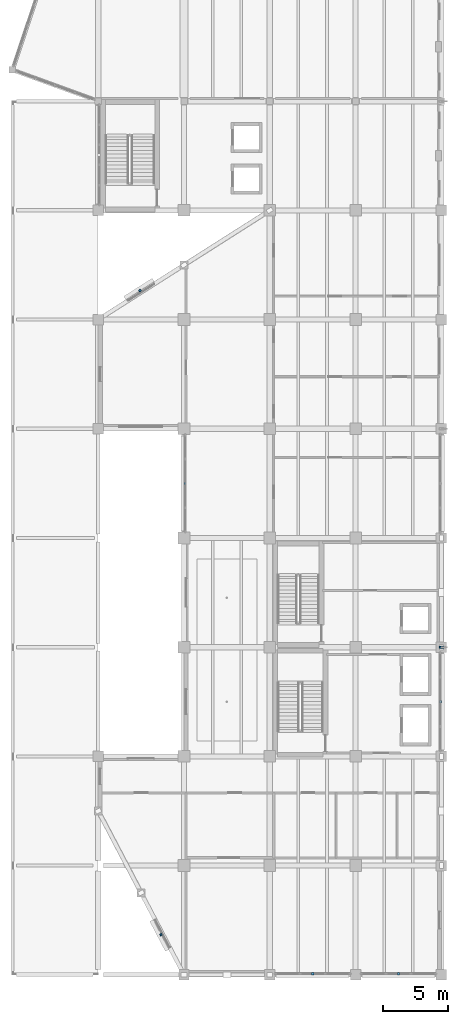
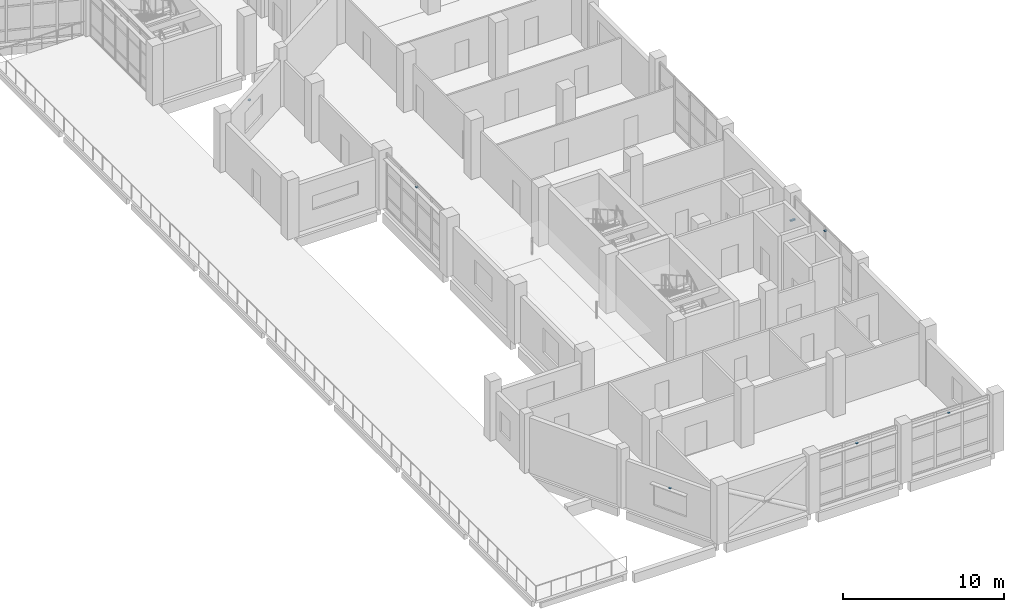
# One storey, part 66 of 83: 7 discrete accessories.
"""IFC4 building model written with IfcOpenShell, lengths in metres."""

from ifc_helpers import new_model, si_unit, direction, frame, origin, origin_2d, place, context, subcontext, project, spatial, rectangle, extrude, material, layer, layer_set, type_object, element, save


model = new_model("IFC4")

# Units and contexts
model_context = context("Model", 3, precision=1e-05, world=origin(), true_north=direction((0.0, 1.0)))
body_context = subcontext(model_context, "Body", "Model", "MODEL_VIEW")
ifc_project = project(units=[si_unit("LENGTHUNIT", "METRE"), si_unit("AREAUNIT", "SQUARE_METRE"), si_unit("VOLUMEUNIT", "CUBIC_METRE"), si_unit("PLANEANGLEUNIT", "RADIAN"), si_unit("MASSUNIT", "GRAM", prefix="KILO")], contexts=[model_context])

# Site, building, storey
site_placement = place(None, origin())
site = spatial("IfcSite", under=ifc_project, at=site_placement, CompositionType="ELEMENT")
building_placement = place(site_placement, origin())
building = spatial("IfcBuilding", under=site, at=building_placement, Name="Qaldarim Faculty of Natural and Applied Sciences", CompositionType="ELEMENT")
storey_placement = place(building_placement, frame((0.0, 0.0, 5.39990234375)))
storey = spatial("IfcBuildingStorey", under=building, at=storey_placement, Name="L01", CompositionType="ELEMENT", Elevation=5.39990234375)

# Discrete accessories
ifc_material = material(Name="Architectural stainless steel 316", Category="steel")
ifc_layer = layer(ifc_material, 0.080078125)
ifc_layer_set = layer_set([ifc_layer], Name="Architectural stainless steel 316")
discrete_accessory_type = type_object("IfcDiscreteAccessoryType", Name="FacadeBracket-SS120", PredefinedType="BRACKET", material=ifc_layer_set)
for number, where, z_axis, x_axis, name in (
    (1, (158.47998046875, 37.800048828125, 3.81005859375), (0.0, 0.0, 1.0), (0.0, 1.0, 0.0), "Solar louvre support bracket SHD-L01-W-X25Y05"),
    (2, (168.300048828125, 0.080078125, 3.81005859375), (0.0, 0.0, 1.0), (1.0, 0.0, 0.0), "Solar louvre support bracket SHD-L01-S-X26Y01"),
    (3, (174.89990234375, 0.080078125, 3.81005859375), (0.0, 0.0, 1.0), (1.0, 0.0, 0.0), "Solar louvre support bracket SHD-L01-S-X27Y01"),
    (4, (178.1201171875, 21.0, 3.81005859375), (0.0, 0.0, 1.0), (0.0, 1.0, 0.0), "Solar louvre support bracket SHD-L01-E-X27Y03"),
    (5, (156.625, 3.0849609375, 2.66015625), (0.0, 0.0, 1.0), (0.46447113214, -0.885588260654, 0.0), "Oblique solar louvre bracket SHD-OBL-SW-L01-2"),
    (6, (155.014892578125, 52.635009765625, 2.66015625), (0.0, 0.0, 1.0), (0.843775713382, 0.536695952571, 0.0), "Oblique solar louvre bracket SHD-OBL-NW-L01-1"),
):
    element("IfcDiscreteAccessory", number, at=place(storey_placement, frame(where, z_axis=z_axis, x_axis=x_axis)), inside=storey, type_object=discrete_accessory_type, Name=name, PredefinedType="BRACKET", context=body_context, shape_type="SweptSolid", body=[
        extrude(rectangle(XDim=0.159912109375, YDim=0.159912109375, at=origin_2d()), origin(), (0.0, 0.0, 1.0), 0.080078125),
    ])
discrete_accessory_placement = place(storey_placement, frame((178.199951171875, 25.199951171875, 2.050048828125), z_axis=(0.0, 0.0, 1.0), x_axis=(1.0, 0.0, 0.0)))
element("IfcDiscreteAccessory", 7, at=discrete_accessory_placement, inside=storey, type_object=discrete_accessory_type, Name="Solar fin bracket FIN-L01-X28Y04", PredefinedType="BRACKET", context=body_context, shape_type="SweptSolid", body=[
    extrude(rectangle(XDim=0.360107421875, YDim=0.139892578125, at=origin_2d()), origin(), (0.0, 0.0, 1.0), 0.10009765625),
])

save(model, "model.ifc")
